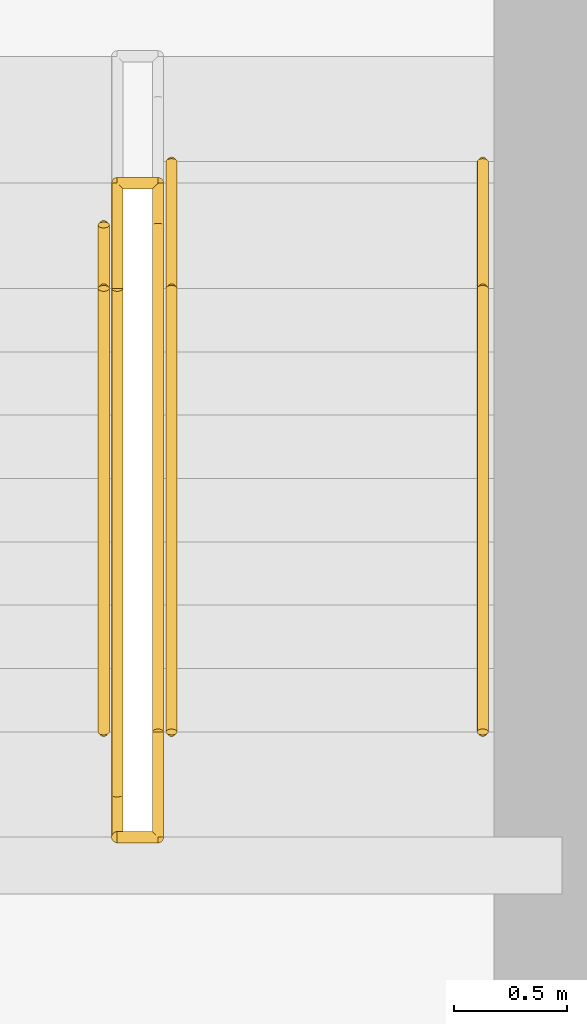
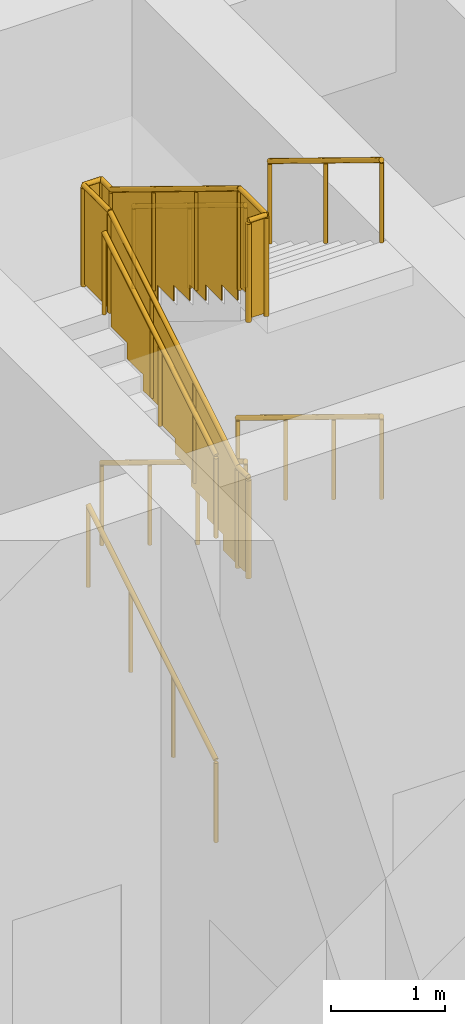
# One storey, part 16 of 17: 8 railings.
"""IFC4 building model written with IfcOpenShell, lengths in metres."""

from ifc_helpers import new_model, si_unit, direction, frame, origin, origin_2d, place, context, subcontext, project, spatial, polyline, circle, outline, extrude, material, type_object, element, save


model = new_model("IFC4")

# Units and contexts
model_context = context("Model", 3, precision=1e-05, world=origin(), true_north=direction((0.0, 1.0)))
body_context = subcontext(model_context, "Body", "Model", "MODEL_VIEW")
ifc_project = project(units=[si_unit("LENGTHUNIT", "METRE"), si_unit("AREAUNIT", "SQUARE_METRE"), si_unit("VOLUMEUNIT", "CUBIC_METRE"), si_unit("PLANEANGLEUNIT", "RADIAN"), si_unit("MASSUNIT", "GRAM", prefix="KILO")], contexts=[model_context])

# Site, building, storey
site_placement = place(None, origin())
site = spatial("IfcSite", under=ifc_project, at=site_placement, CompositionType="ELEMENT")
building_placement = place(site_placement, origin())
building = spatial("IfcBuilding", under=site, at=building_placement, Name="Kilele Tower Hotel", CompositionType="ELEMENT")
storey_placement = place(building_placement, frame((0.0, 0.0, 145.89990234375)))
storey = spatial("IfcBuildingStorey", under=building, at=storey_placement, Name="L38", CompositionType="ELEMENT", Elevation=145.89990234375)

# Railings
ifc_material_1 = material(Name="Steel handrail", Category="steel")
railing_type_1 = type_object("IfcRailingType", Name="Handrail 900", PredefinedType="HANDRAIL", material=ifc_material_1)
railing_1_placement = place(storey_placement, frame((33.97509765625, 22.239990234375, 0.171630859375)))
element("IfcRailing", 1, at=railing_1_placement, inside=storey, type_object=railing_type_1, Name="Handrail ST2 flight 1", PredefinedType="HANDRAIL", context=body_context, shape_type="SweptSolid", body=[
    extrude(circle(Radius=0.02490234375, at=origin_2d()), frame((0.0, 0.0, 0.875), z_axis=(0.0, 0.852865665234, 0.522130402356), x_axis=(-1.0, 0.0, 0.0)), (0.0, 0.0, 1.0), 2.62646484375),
    extrude(circle(Radius=0.02001953125, at=origin_2d()), origin(), (0.0, 0.0, 1.0), 0.849853515625),
    extrude(circle(Radius=0.02001953125, at=origin_2d()), frame((0.0, 0.74658203125, 0.45703125)), (0.0, 0.0, 1.0), 0.849853515625),
    extrude(circle(Radius=0.02001953125, at=origin_2d()), frame((0.0, 1.493408203125, 0.914306640625)), (0.0, 0.0, 1.0), 0.849853515625),
    extrude(circle(Radius=0.02001953125, at=origin_2d()), frame((0.0, 2.239990234375, 1.371337890625)), (0.0, 0.0, 1.0), 0.849853515625),
])
for number, where, name in (
    (2, (34.27490234375, 24.760009765625, 1.71435546875), "Handrail ST2 flight 2"),
    (3, (35.64990234375, 24.760009765625, 1.71435546875), "Handrail ST2 flight 2"),
):
    element("IfcRailing", number, at=place(storey_placement, frame(where)), inside=storey, type_object=railing_type_1, Name=name, PredefinedType="HANDRAIL", context=body_context, shape_type="SweptSolid", body=[
        extrude(circle(Radius=0.02490234375, at=origin_2d()), frame((0.0, 0.0, 0.875), z_axis=(0.0, -0.852836285881, 0.522178388565), x_axis=(1.0, 0.0, 0.0)), (0.0, 0.0, 1.0), 2.954833984375),
        extrude(circle(Radius=0.02001953125, at=origin_2d()), origin(), (0.0, 0.0, 1.0), 0.849853515625),
        extrude(circle(Radius=0.02001953125, at=origin_2d()), frame((0.0, -0.840087890625, 0.514404296875)), (0.0, 0.0, 1.0), 0.849853515625),
        extrude(circle(Radius=0.02001953125, at=origin_2d()), frame((0.0, -1.679931640625, 1.028564453125)), (0.0, 0.0, 1.0), 0.849853515625),
        extrude(circle(Radius=0.02001953125, at=origin_2d()), frame((0.0, -2.52001953125, 1.54296875)), (0.0, 0.0, 1.0), 0.849853515625),
    ])
railing_2_placement = place(storey_placement, frame((33.97509765625, 22.239990234375, 3.4287109375)))
element("IfcRailing", 4, at=railing_2_placement, inside=storey, type_object=railing_type_1, Name="Handrail ST2 flight 3", PredefinedType="HANDRAIL", context=body_context, shape_type="SweptSolid", body=[
    extrude(circle(Radius=0.02490234375, at=origin_2d()), frame((0.0, 0.0, 0.875), z_axis=(0.0, 0.852856131449, 0.522145974847), x_axis=(-1.0, 0.0, 0.0)), (0.0, 0.0, 1.0), 2.298095703125),
    extrude(circle(Radius=0.02001953125, at=origin_2d()), origin(), (0.0, 0.0, 1.0), 0.849853515625),
    extrude(circle(Radius=0.02001953125, at=origin_2d()), frame((0.0, 0.97998046875, 0.60009765625)), (0.0, 0.0, 1.0), 0.849853515625),
    extrude(circle(Radius=0.02001953125, at=origin_2d()), frame((0.0, 1.9599609375, 1.199951171875)), (0.0, 0.0, 1.0), 0.849853515625),
])
for number, where, name in (
    (5, (34.27490234375, 24.199951171875, 4.800048828125), "Handrail ST2 flight 4"),
    (6, (35.64990234375, 24.199951171875, 4.800048828125), "Handrail ST2 flight 4"),
):
    element("IfcRailing", number, at=place(storey_placement, frame(where)), inside=storey, type_object=railing_type_1, Name=name, PredefinedType="HANDRAIL", context=body_context, shape_type="SweptSolid", body=[
        extrude(circle(Radius=0.02490234375, at=origin_2d()), frame((0.0, 0.0, 0.875), z_axis=(0.0, -0.852856131449, 0.522145974847), x_axis=(1.0, 0.0, 0.0)), (0.0, 0.0, 1.0), 2.298095703125),
        extrude(circle(Radius=0.02001953125, at=origin_2d()), origin(), (0.0, 0.0, 1.0), 0.849853515625),
        extrude(circle(Radius=0.02001953125, at=origin_2d()), frame((0.0, -0.97998046875, 0.60009765625)), (0.0, 0.0, 1.0), 0.849853515625),
        extrude(circle(Radius=0.02001953125, at=origin_2d()), frame((0.0, -1.9599609375, 1.199951171875)), (0.0, 0.0, 1.0), 0.849853515625),
    ])
ifc_material_2 = material(Name="Steel guard", Category="steel")
railing_type_2 = type_object("IfcRailingType", Name="Stair guard 1100", PredefinedType="GUARDRAIL", material=ifc_material_2)
railing_3_placement = place(storey_placement, frame((34.034912109375, 21.77490234375, 3.257080078125)))
element("IfcRailing", 7, at=railing_3_placement, inside=storey, type_object=railing_type_2, Name="Stair well guard ST2 flight 3", PredefinedType="GUARDRAIL", context=body_context, shape_type="SweptSolid", body=[
    extrude(circle(Radius=0.02490234375, at=origin_2d()), frame((0.0, 0.0, 1.0751953125), z_axis=(0.0, 1.0, 0.0), x_axis=(-1.0, 0.0, 0.0)), (0.0, 0.0, 1.0), 0.18505859375),
    extrude(circle(Radius=0.02490234375, at=origin_2d()), frame((0.0, 0.18505859375, 1.0751953125), z_axis=(0.0, 0.852824270871, 0.522198011308), x_axis=(-1.0, 0.0, 0.0)), (0.0, 0.0, 1.0), 2.62646484375),
    extrude(circle(Radius=0.02490234375, at=origin_2d()), frame((0.0, 2.425048828125, 2.44677734375), z_axis=(0.0, 1.0, 0.0), x_axis=(-1.0, 0.0, 0.0)), (0.0, 0.0, 1.0), 0.465087890625),
    extrude(circle(Radius=0.02490234375, at=origin_2d()), frame((0.0, 2.89013671875, 2.44677734375), z_axis=(1.0, 0.0, 0.0), x_axis=(0.0, 1.0, 0.0)), (0.0, 0.0, 1.0), 0.18017578125),
    extrude(circle(Radius=0.02490234375, at=origin_2d()), origin(), (0.0, 0.0, 1.0), 1.050048828125),
    extrude(circle(Radius=0.02490234375, at=origin_2d()), frame((0.0, 0.18505859375, 0.0)), (0.0, 0.0, 1.0), 1.050048828125),
    extrude(circle(Radius=0.02490234375, at=origin_2d()), frame((0.0, 0.931640625, 0.457275390625)), (0.0, 0.0, 1.0), 1.050048828125),
    extrude(circle(Radius=0.02490234375, at=origin_2d()), frame((0.0, 1.678466796875, 0.914306640625)), (0.0, 0.0, 1.0), 1.050048828125),
    extrude(circle(Radius=0.02490234375, at=origin_2d()), frame((0.0, 2.425048828125, 1.37158203125)), (0.0, 0.0, 1.0), 1.050048828125),
    extrude(circle(Radius=0.02490234375, at=origin_2d()), frame((0.0, 2.89013671875, 1.37158203125)), (0.0, 0.0, 1.0), 1.050048828125),
    extrude(circle(Radius=0.02490234375, at=origin_2d()), frame((0.18017578125, 2.89013671875, 1.37158203125)), (0.0, 0.0, 1.0), 1.050048828125),
    extrude(outline(polyline([(0.0, 0.030029296875), (0.172607421875, 0.030029296875), (0.172607421875, 1.050048828125), (0.0, 1.050048828125), (0.0, 0.030029296875)])), frame((-0.005859375, 0.0, 0.0), z_axis=(1.0, 0.0, 0.0), x_axis=(0.0, 1.0, 0.0)), (0.0, 0.0, 1.0), 0.011962890625),
    extrude(outline(polyline([(0.012451171875, 0.030029296875), (0.25, 0.030029296875), (0.25, 0.201416015625), (0.530029296875, 0.201416015625), (0.530029296875, 0.373046875), (0.81005859375, 0.373046875), (0.81005859375, 0.54443359375), (1.08984375, 0.54443359375), (1.08984375, 0.7158203125), (1.369873046875, 0.7158203125), (1.369873046875, 0.88720703125), (1.64990234375, 0.88720703125), (1.64990234375, 1.05859375), (1.929931640625, 1.05859375), (1.929931640625, 1.230224609375), (2.2099609375, 1.230224609375), (2.2099609375, 1.401611328125), (2.2275390625, 1.401611328125), (2.2275390625, 2.40966796875), (0.012451171875, 1.053466796875), (0.012451171875, 0.030029296875)])), frame((-0.005859375, 0.18505859375, 0.0), z_axis=(1.0, 0.0, 0.0), x_axis=(0.0, 1.0, 0.0)), (0.0, 0.0, 1.0), 0.011962890625),
    extrude(outline(polyline([(0.012451171875, 0.030029296875), (0.45263671875, 0.030029296875), (0.45263671875, 1.050048828125), (0.012451171875, 1.050048828125), (0.012451171875, 0.030029296875)])), frame((-0.005859375, 2.425048828125, 1.37158203125), z_axis=(1.0, 0.0, 0.0), x_axis=(0.0, 1.0, 0.0)), (0.0, 0.0, 1.0), 0.011962890625),
    extrude(outline(polyline([(0.012451171875, 0.030029296875), (0.18017578125, 0.030029296875), (0.18017578125, 1.050048828125), (0.012451171875, 1.050048828125), (0.012451171875, 0.030029296875)])), frame((0.0, 2.89599609375, 1.37158203125), z_axis=(0.0, -1.0, 0.0), x_axis=(1.0, 0.0, 0.0)), (0.0, 0.0, 1.0), 0.011962890625),
])
railing_4_placement = place(storey_placement, frame((34.215087890625, 24.6650390625, 4.628662109375)))
element("IfcRailing", 8, at=railing_4_placement, inside=storey, type_object=railing_type_2, Name="Stair well guard ST2 flight 4", PredefinedType="GUARDRAIL", context=body_context, shape_type="SweptSolid", body=[
    extrude(circle(Radius=0.02490234375, at=origin_2d()), frame((0.0, 0.0, 1.0751953125), z_axis=(0.0, -1.0, 0.0), x_axis=(1.0, 0.0, 0.0)), (0.0, 0.0, 1.0), 0.18505859375),
    extrude(circle(Radius=0.02490234375, at=origin_2d()), frame((0.0, -0.18505859375, 1.0751953125), z_axis=(0.0, -0.852865665234, 0.522130402356), x_axis=(1.0, 0.0, 0.0)), (0.0, 0.0, 1.0), 2.62646484375),
    extrude(circle(Radius=0.02490234375, at=origin_2d()), frame((0.0, -2.425048828125, 2.4462890625), z_axis=(0.0, -1.0, 0.0), x_axis=(1.0, 0.0, 0.0)), (0.0, 0.0, 1.0), 0.465087890625),
    extrude(circle(Radius=0.02490234375, at=origin_2d()), frame((0.0, -2.89013671875, 2.4462890625), z_axis=(-1.0, 0.0, 0.0), x_axis=(0.0, -1.0, 0.0)), (0.0, 0.0, 1.0), 0.18017578125),
    extrude(circle(Radius=0.02490234375, at=origin_2d()), origin(), (0.0, 0.0, 1.0), 1.050048828125),
    extrude(circle(Radius=0.02490234375, at=origin_2d()), frame((0.0, -0.18505859375, 0.0)), (0.0, 0.0, 1.0), 1.050048828125),
    extrude(circle(Radius=0.02490234375, at=origin_2d()), frame((0.0, -0.931640625, 0.45703125)), (0.0, 0.0, 1.0), 1.050048828125),
    extrude(circle(Radius=0.02490234375, at=origin_2d()), frame((0.0, -1.678466796875, 0.914306640625)), (0.0, 0.0, 1.0), 1.050048828125),
    extrude(circle(Radius=0.02490234375, at=origin_2d()), frame((0.0, -2.425048828125, 1.371337890625)), (0.0, 0.0, 1.0), 1.050048828125),
    extrude(circle(Radius=0.02490234375, at=origin_2d()), frame((0.0, -2.89013671875, 1.371337890625)), (0.0, 0.0, 1.0), 1.050048828125),
    extrude(circle(Radius=0.02490234375, at=origin_2d()), frame((-0.18017578125, -2.89013671875, 1.371337890625)), (0.0, 0.0, 1.0), 1.050048828125),
    extrude(outline(polyline([(0.0, 0.030029296875), (0.172607421875, 0.030029296875), (0.172607421875, 1.050048828125), (0.0, 1.050048828125), (0.0, 0.030029296875)])), frame((0.005859375, 0.0, 0.0), z_axis=(-1.0, 0.0, 0.0), x_axis=(0.0, -1.0, 0.0)), (0.0, 0.0, 1.0), 0.011962890625),
    extrude(outline(polyline([(0.012451171875, 0.030029296875), (0.25, 0.030029296875), (0.25, 0.201416015625), (0.530029296875, 0.201416015625), (0.530029296875, 0.372802734375), (0.81005859375, 0.372802734375), (0.81005859375, 0.544189453125), (1.08984375, 0.544189453125), (1.08984375, 0.7158203125), (1.369873046875, 0.7158203125), (1.369873046875, 0.88720703125), (1.64990234375, 0.88720703125), (1.64990234375, 1.05859375), (1.929931640625, 1.05859375), (1.929931640625, 1.22998046875), (2.2099609375, 1.22998046875), (2.2099609375, 1.4013671875), (2.2275390625, 1.4013671875), (2.2275390625, 2.409423828125), (0.012451171875, 1.053466796875), (0.012451171875, 0.030029296875)])), frame((0.005859375, -0.18505859375, 0.0), z_axis=(-1.0, 0.0, 0.0), x_axis=(0.0, -1.0, 0.0)), (0.0, 0.0, 1.0), 0.011962890625),
    extrude(outline(polyline([(0.012451171875, 0.030029296875), (0.45263671875, 0.030029296875), (0.45263671875, 1.050048828125), (0.012451171875, 1.050048828125), (0.012451171875, 0.030029296875)])), frame((0.005859375, -2.425048828125, 1.371337890625), z_axis=(-1.0, 0.0, 0.0), x_axis=(0.0, -1.0, 0.0)), (0.0, 0.0, 1.0), 0.011962890625),
    extrude(outline(polyline([(0.012451171875, 0.030029296875), (0.18017578125, 0.030029296875), (0.18017578125, 1.050048828125), (0.012451171875, 1.050048828125), (0.012451171875, 0.030029296875)])), frame((0.0, -2.89599609375, 1.371337890625), z_axis=(0.0, 1.0, 0.0), x_axis=(-1.0, 0.0, 0.0)), (0.0, 0.0, 1.0), 0.011962890625),
])

save(model, "model.ifc")
